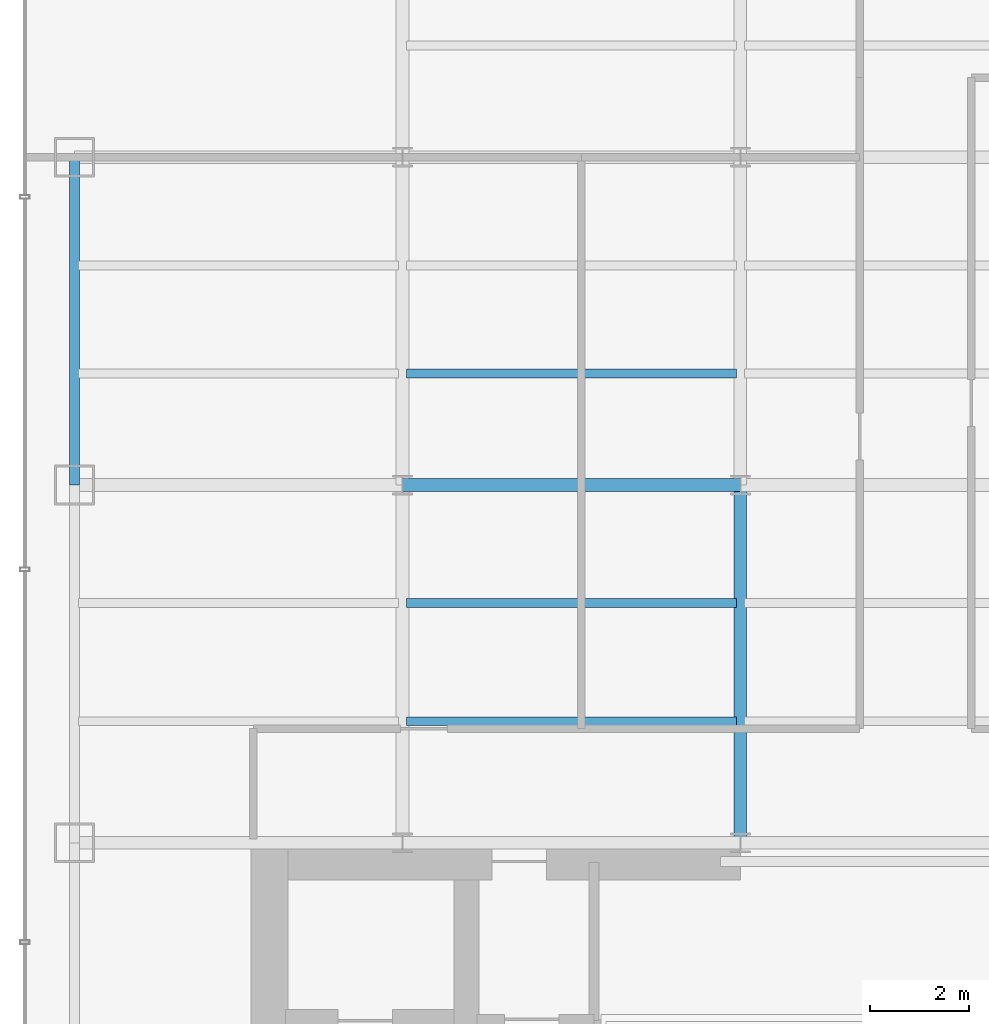
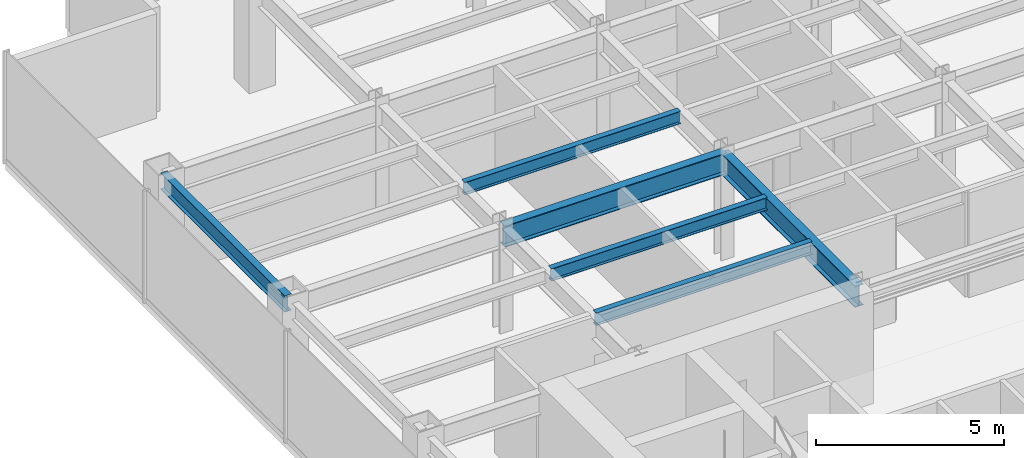
# One storey, part 5 of 26: 6 beams.
"""IFC4 building model written with IfcOpenShell, lengths in metres."""

from ifc_helpers import new_model, si_unit, derived_unit, direction, frame, origin, origin_2d, place, context, subcontext, project, spatial, i_section, extrude, source, transform, mapped, material, material_profile, profile_set, type_object, element, save


model = new_model("IFC4")

# Units and contexts
model_context = context("Model", 3, precision=1e-05, world=origin(), true_north=direction((0.0, 1.0)))
body_context = subcontext(model_context, "Body", "Model", "MODEL_VIEW")
ifc_project = project(units=[si_unit("LENGTHUNIT", "METRE"), si_unit("AREAUNIT", "SQUARE_METRE"), si_unit("VOLUMEUNIT", "CUBIC_METRE"), si_unit("PLANEANGLEUNIT", "RADIAN"), si_unit("MASSUNIT", "GRAM", prefix="KILO"), derived_unit("THERMALTRANSMITTANCEUNIT", [(si_unit("POWERUNIT", "WATT"), 1), (si_unit("LENGTHUNIT", "METRE"), -2), (si_unit("THERMODYNAMICTEMPERATUREUNIT", "KELVIN"), -1)])], contexts=[model_context])

# Site, building, storey
site_placement = place(None, origin())
site = spatial("IfcSite", under=ifc_project, at=site_placement, CompositionType="ELEMENT")
building_placement = place(site_placement, origin())
building = spatial("IfcBuilding", under=site, at=building_placement, Name="Skarnbrae Concourse Arena and Tower", CompositionType="ELEMENT")
storey_placement = place(building_placement, frame((0.0, 0.0, 92.300048828125)))
storey = spatial("IfcBuildingStorey", under=building, at=storey_placement, Name="L22", CompositionType="ELEMENT", Elevation=92.300048828125)

# Beams
ifc_material = material(Name="Steel CSA G40.21 350W", Category="steel")
ifc_material_profile_1 = material_profile(ifc_material, i_section(OverallWidth=0.256103515625, OverallDepth=0.693115234375, WebThickness=0.014404296875, FlangeThickness=0.023681640625, at=origin_2d()), Name="W690X170")
ifc_profile_set_1 = profile_set([ifc_material_profile_1], Name="Steel CSA G40.21 350W")
beam_type_1 = type_object("IfcBeamType", Name="BM-GIRD-W690X170", PredefinedType="BEAM", material=ifc_profile_set_1)
shared_shape_1 = source(origin(), body_context, "Body", "SweptSolid", [
    extrude(i_section(OverallWidth=0.256103515625, OverallDepth=0.693115234375, WebThickness=0.014404296875, FlangeThickness=0.023681640625, at=origin_2d()), origin(), (0.0, 0.0, 1.0), 6.7998046875),
])
beam_1_placement = place(storey_placement, frame((7.60009765625, 21.199951171875, 3.053466796875), z_axis=(1.0, 0.0, 0.0), x_axis=(0.0, 1.0, 0.0)))
element("IfcBeam", 1, at=beam_1_placement, inside=storey, type_object=beam_type_1, Name="L22 Primary E-W girder Y21.2-2", PredefinedType="BEAM", context=body_context, shape_type="MappedRepresentation", body=[
    mapped(shared_shape_1, transform((0.0, 0.0, 0.0))),
])
ifc_material_profile_2 = material_profile(ifc_material, i_section(OverallWidth=0.208984375, OverallDepth=0.532958984375, WebThickness=0.01025390625, FlangeThickness=0.015625, at=origin_2d()), Name="W530X92")
ifc_profile_set_2 = profile_set([ifc_material_profile_2], Name="Steel CSA G40.21 350W")
beam_type_2 = type_object("IfcBeamType", Name="BM-SPAN-W530X92", PredefinedType="SPANDREL", material=ifc_profile_set_2)
shared_shape_2 = source(origin(), body_context, "Body", "SweptSolid", [
    extrude(i_section(OverallWidth=0.208984375, OverallDepth=0.532958984375, WebThickness=0.01025390625, FlangeThickness=0.015625, at=origin_2d()), origin(), (0.0, 0.0, 1.0), 6.60009765625),
])
beam_2_placement = place(storey_placement, frame((1.0, 21.199951171875, 3.133544921875), z_axis=(0.0, 1.0, 0.0), x_axis=(-1.0, 0.0, 0.0)))
element("IfcBeam", 2, at=beam_2_placement, inside=storey, type_object=beam_type_2, Name="L22 Perimeter spandrel X1.0-3", PredefinedType="SPANDREL", context=body_context, shape_type="MappedRepresentation", body=[
    mapped(shared_shape_2, transform((0.0, 0.0, 0.0))),
])
shared_shape_3 = source(origin(), body_context, "Body", "SweptSolid", [
    extrude(i_section(OverallWidth=0.256103515625, OverallDepth=0.693115234375, WebThickness=0.014404296875, FlangeThickness=0.023681640625, at=origin_2d()), origin(), (0.0, 0.0, 1.0), 7.199951171875),
])
beam_3_placement = place(storey_placement, frame((14.39990234375, 14.0, 3.053466796875), z_axis=(0.0, 1.0, 0.0), x_axis=(-1.0, 0.0, 0.0)))
element("IfcBeam", 3, at=beam_3_placement, inside=storey, type_object=beam_type_1, Name="L22 Primary N-S girder X14.4-1", PredefinedType="BEAM", context=body_context, shape_type="MappedRepresentation", body=[
    mapped(shared_shape_3, transform((0.0, 0.0, 0.0))),
])
ifc_material_profile_3 = material_profile(ifc_material, i_section(OverallWidth=0.177978515625, OverallDepth=0.406982421875, WebThickness=0.0078125, FlangeThickness=0.0126953125, at=origin_2d()), Name="W410X60")
ifc_profile_set_3 = profile_set([ifc_material_profile_3], Name="Steel CSA G40.21 350W")
beam_type_3 = type_object("IfcBeamType", Name="BM-JOIST-W410X60", PredefinedType="JOIST", material=ifc_profile_set_3)
shared_shape_4 = source(origin(), body_context, "Body", "SweptSolid", [
    extrude(i_section(OverallWidth=0.177978515625, OverallDepth=0.406982421875, WebThickness=0.0078125, FlangeThickness=0.0126953125, at=origin_2d()), origin(), (0.0, 0.0, 1.0), 6.64013671875),
])
for number, where, z_axis, x_axis, name in (
    (4, (7.679931640625, 16.447998046875, 3.196533203125), (1.0, 0.0, 0.0), (0.0, 1.0, 0.0), "L22 Secondary floor joist 1.1.2"),
    (5, (7.679931640625, 18.823974609375, 3.196533203125), (1.0, 0.0, 0.0), (0.0, 1.0, 0.0), "L22 Secondary floor joist 1.2.2"),
    (6, (7.679931640625, 23.444091796875, 3.196533203125), (1.0, 0.0, 0.0), (0.0, 1.0, 0.0), "L22 Secondary floor joist 2.1.2"),
):
    element("IfcBeam", number, at=place(storey_placement, frame(where, z_axis=z_axis, x_axis=x_axis)), inside=storey, type_object=beam_type_3, Name=name, PredefinedType="JOIST", context=body_context, shape_type="MappedRepresentation", body=[
        mapped(shared_shape_4, transform((0.0, 0.0, 0.0))),
    ])

save(model, "model.ifc")
